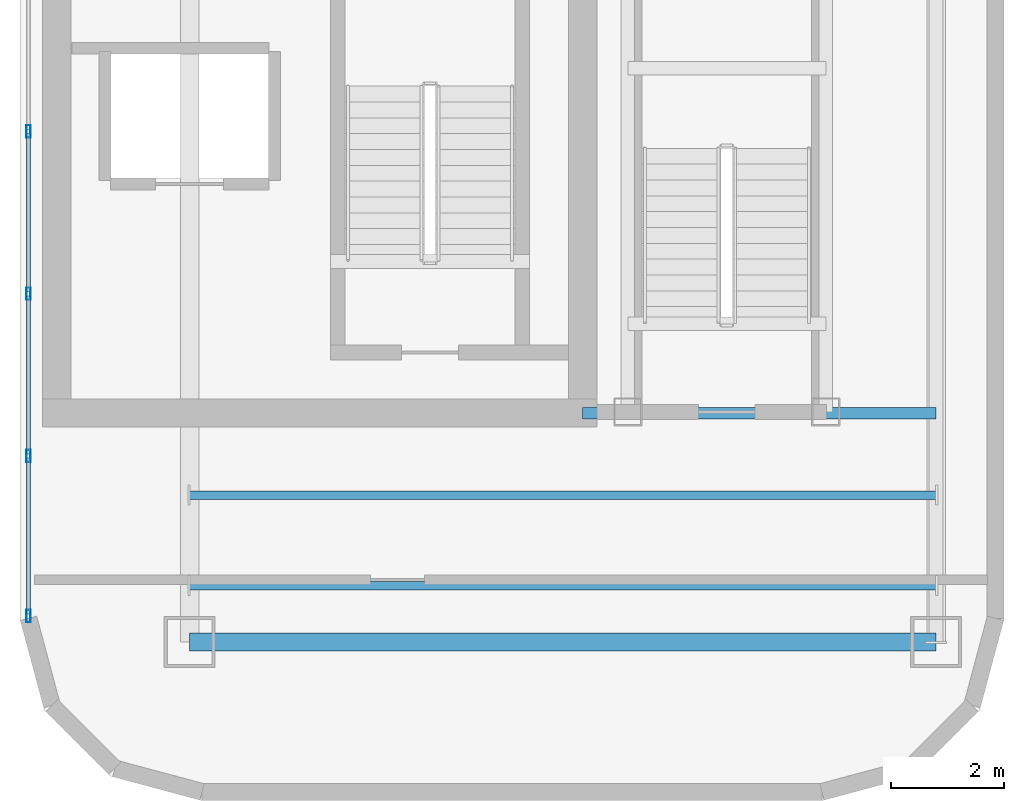
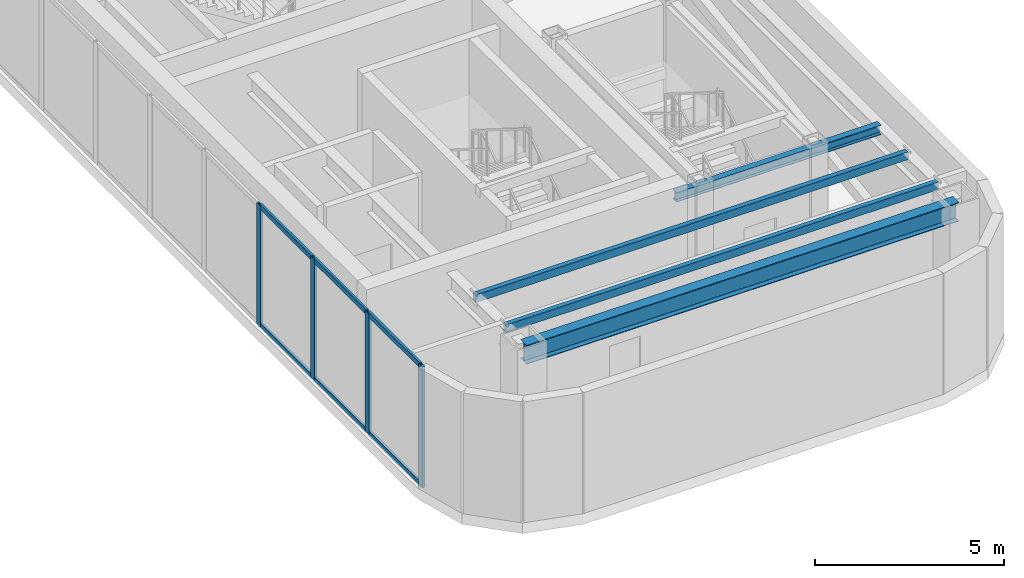
# One storey, part 2 of 9: 12 members, 2 beams, 1 element without a shape of its own.
"""IFC4 building model written with IfcOpenShell, lengths in metres."""

from ifc_helpers import new_model, si_unit, direction, frame, origin, origin_2d, place, context, subcontext, project, spatial, hollow_rectangle, i_section, extrude, material, layer, layer_set, material_profile, profile_set, type_object, element, aggregate, save


model = new_model("IFC4")

# Units and contexts
model_context = context("Model", 3, precision=1e-05, world=origin(), true_north=direction((0.0, 1.0)))
body_context = subcontext(model_context, "Body", "Model", "MODEL_VIEW")
ifc_project = project(units=[si_unit("LENGTHUNIT", "METRE"), si_unit("AREAUNIT", "SQUARE_METRE"), si_unit("VOLUMEUNIT", "CUBIC_METRE"), si_unit("PLANEANGLEUNIT", "RADIAN"), si_unit("MASSUNIT", "GRAM", prefix="KILO")], contexts=[model_context])

# Site, building, storey
site_placement = place(None, origin())
site = spatial("IfcSite", under=ifc_project, at=site_placement, CompositionType="ELEMENT")
building_placement = place(site_placement, origin())
building = spatial("IfcBuilding", under=site, at=building_placement, Name="Kiyonajd Concourse Tower", CompositionType="ELEMENT")
storey_placement = place(building_placement, frame((0.0, 0.0, 372.89990234375)))
storey = spatial("IfcBuildingStorey", under=building, at=storey_placement, Name="L93", CompositionType="ELEMENT", Elevation=372.89990234375)

# Beams
ifc_material_1 = material(Name="Steel ASTM A992 Grade 50", Category="steel")
ifc_material_profile_1 = material_profile(ifc_material_1, i_section(OverallWidth=0.2041015625, OverallDepth=0.305908203125, WebThickness=0.008544921875, FlangeThickness=0.0146484375, at=origin_2d()), Name="W310X67")
ifc_profile_set_1 = profile_set([ifc_material_profile_1], Name="Steel ASTM A992 Grade 50")
beam_type_1 = type_object("IfcBeamType", Name="BM-CRN-310", PredefinedType="BEAM", material=ifc_profile_set_1)
beam_1_placement = place(storey_placement, frame((63.35009765625, 27.85009765625, 3.7470703125), z_axis=(1.0, 0.0, 0.0), x_axis=(0.0, 1.0, 0.0)))
element("IfcBeam", 1, at=beam_1_placement, inside=storey, type_object=beam_type_1, Name="L93 E Crown Core Tie South", PredefinedType="BEAM", context=body_context, shape_type="SweptSolid", body=[
    extrude(i_section(OverallWidth=0.2041015625, OverallDepth=0.305908203125, WebThickness=0.008544921875, FlangeThickness=0.0146484375, at=origin_2d()), origin(), (0.0, 0.0, 1.0), 6.25),
])
ifc_material_profile_2 = material_profile(ifc_material_1, i_section(OverallWidth=0.323974609375, OverallDepth=0.611083984375, WebThickness=0.0126953125, FlangeThickness=0.01904296875, at=origin_2d()), Name="W610X155")
ifc_profile_set_2 = profile_set([ifc_material_profile_2], Name="Steel ASTM A992 Grade 50")
beam_type_2 = type_object("IfcBeamType", Name="BM-TWR-610B", PredefinedType="BEAM", material=ifc_profile_set_2)
beam_2_placement = place(storey_placement, frame((56.39990234375, 23.800048828125, 3.594482421875), z_axis=(1.0, 0.0, 0.0), x_axis=(0.0, 1.0, 0.0)))
element("IfcBeam", 2, at=beam_2_placement, inside=storey, type_object=beam_type_2, Name="L93 E Crown Ring Beam 1", PredefinedType="BEAM", context=body_context, shape_type="SweptSolid", body=[
    extrude(i_section(OverallWidth=0.323974609375, OverallDepth=0.611083984375, WebThickness=0.0126953125, FlangeThickness=0.01904296875, at=origin_2d()), origin(), (0.0, 0.0, 1.0), 13.2001953125),
])

# Members
ifc_material_2 = material(Name="Steel ASTM A500 Grade C", Category="steel")
ifc_material_profile_3 = material_profile(ifc_material_2, hollow_rectangle(XDim=0.14990234375, YDim=0.25, WallThickness=0.011962890625, at=origin_2d()), Name="HSS-250x150x12")
ifc_profile_set_3 = profile_set([ifc_material_profile_3], Name="Steel ASTM A500 Grade C")
member_type_1 = type_object("IfcMemberType", Name="MB-CRN-PURL", PredefinedType="PURLIN", material=ifc_profile_set_3)
for number, where, z_axis, x_axis, name in (
    (3, (56.39990234375, 24.800048828125, 3.775146484375), (1.0, 0.0, 0.0), (0.0, 1.0, 0.0), "L93 E Crown Roof Purlin 1"),
    (4, (56.39990234375, 26.39990234375, 3.775146484375), (1.0, 0.0, 0.0), (0.0, 1.0, 0.0), "L93 E Crown Roof Purlin 2"),
):
    element("IfcMember", number, at=place(storey_placement, frame(where, z_axis=z_axis, x_axis=x_axis)), inside=storey, type_object=member_type_1, Name=name, PredefinedType="PURLIN", context=body_context, shape_type="SweptSolid", body=[
        extrude(hollow_rectangle(XDim=0.14990234375, YDim=0.25, WallThickness=0.011962890625, at=origin_2d()), origin(), (0.0, 0.0, 1.0), 13.2001953125),
    ])

# Curtain wall, members
ifc_material_3 = material(Name="Thermally Broken Anodised Aluminium", Category="aluminium")
ifc_layer = layer(ifc_material_3, 0.179931640625)
ifc_layer_set = layer_set([ifc_layer], Name="Thermally Broken Anodised Aluminium")
curtain_wall_type = type_object("IfcCurtainWallType", Name="CW-SYS-06", PredefinedType="NOTDEFINED", material=ifc_layer_set)
curtain_wall_placement = place(storey_placement, origin())
curtain_wall = element("IfcCurtainWall", 5, at=curtain_wall_placement, inside=storey, type_object=curtain_wall_type, Name="L93 Unitised Curtain Wall CW6", PredefinedType="NOTDEFINED")
ifc_material_profile_4 = material_profile(ifc_material_3, hollow_rectangle(XDim=0.074951171875, YDim=0.219970703125, WallThickness=0.0048828125, at=origin_2d()), Name="MULL-75x220")
ifc_profile_set_4 = profile_set([ifc_material_profile_4], Name="Thermally Broken Anodised Aluminium")
member_type_2 = type_object("IfcMemberType", Name="MB-CW-MULL2", PredefinedType="MULLION", material=ifc_profile_set_4)
member_1_placement = place(storey_placement, frame((53.550048828125, 24.25732421875, 0.0), z_axis=(0.0, 0.0, 1.0), x_axis=(-1.0, 0.0, 0.0)))
member_1 = element("IfcMember", 6, at=member_1_placement, type_object=member_type_2, Name="CW6 mullion 1", PredefinedType="MULLION", context=body_context, shape_type="SweptSolid", body=[
    extrude(hollow_rectangle(XDim=0.074951171875, YDim=0.219970703125, WallThickness=0.0048828125, at=origin_2d()), origin(), (0.0, 0.0, 1.0), 3.900146484375),
])
member_2_placement = place(storey_placement, frame((53.550048828125, 27.08984375, 0.0), z_axis=(0.0, 0.0, 1.0), x_axis=(-1.0, 0.0, 0.0)))
member_2 = element("IfcMember", 7, at=member_2_placement, type_object=member_type_2, Name="CW6 mullion 2", PredefinedType="MULLION", context=body_context, shape_type="SweptSolid", body=[
    extrude(hollow_rectangle(XDim=0.074951171875, YDim=0.219970703125, WallThickness=0.0048828125, at=origin_2d()), origin(), (0.0, 0.0, 1.0), 3.900146484375),
])
member_3_placement = place(storey_placement, frame((53.550048828125, 29.9599609375, 0.0), z_axis=(0.0, 0.0, 1.0), x_axis=(-1.0, 0.0, 0.0)))
member_3 = element("IfcMember", 8, at=member_3_placement, type_object=member_type_2, Name="CW6 mullion 3", PredefinedType="MULLION", context=body_context, shape_type="SweptSolid", body=[
    extrude(hollow_rectangle(XDim=0.074951171875, YDim=0.219970703125, WallThickness=0.0048828125, at=origin_2d()), origin(), (0.0, 0.0, 1.0), 3.900146484375),
])
member_4_placement = place(storey_placement, frame((53.550048828125, 32.829833984375, 0.0), z_axis=(0.0, 0.0, 1.0), x_axis=(-1.0, 0.0, 0.0)))
member_4 = element("IfcMember", 9, at=member_4_placement, type_object=member_type_2, Name="CW6 mullion 4", PredefinedType="MULLION", context=body_context, shape_type="SweptSolid", body=[
    extrude(hollow_rectangle(XDim=0.074951171875, YDim=0.219970703125, WallThickness=0.0048828125, at=origin_2d()), origin(), (0.0, 0.0, 1.0), 3.900146484375),
])
ifc_material_profile_5 = material_profile(ifc_material_3, hollow_rectangle(XDim=0.074951171875, YDim=0.159912109375, WallThickness=0.0048828125, at=origin_2d()), Name="TRAN-75x160")
ifc_profile_set_5 = profile_set([ifc_material_profile_5], Name="Thermally Broken Anodised Aluminium")
member_type_3 = type_object("IfcMemberType", Name="MB-CW-TRAN2", PredefinedType="USERDEFINED", material=ifc_profile_set_5)
member_5_placement = place(storey_placement, frame((53.550048828125, 24.294921875, 0.03759765625), z_axis=(0.0, 1.0, 0.0), x_axis=(-1.0, 0.0, 0.0)))
member_5 = element("IfcMember", 10, at=member_5_placement, type_object=member_type_3, Name="CW6 transom 1.1", ObjectType="TRANSOM", PredefinedType="USERDEFINED", context=body_context, shape_type="SweptSolid", body=[
    extrude(hollow_rectangle(XDim=0.074951171875, YDim=0.159912109375, WallThickness=0.0048828125, at=origin_2d()), origin(), (0.0, 0.0, 1.0), 2.75732421875),
])
member_6_placement = place(storey_placement, frame((53.550048828125, 24.294921875, 3.862548828125), z_axis=(0.0, 1.0, 0.0), x_axis=(-1.0, 0.0, 0.0)))
member_6 = element("IfcMember", 11, at=member_6_placement, type_object=member_type_3, Name="CW6 transom 1.2", ObjectType="TRANSOM", PredefinedType="USERDEFINED", context=body_context, shape_type="SweptSolid", body=[
    extrude(hollow_rectangle(XDim=0.074951171875, YDim=0.159912109375, WallThickness=0.0048828125, at=origin_2d()), origin(), (0.0, 0.0, 1.0), 2.75732421875),
])
member_7_placement = place(storey_placement, frame((53.550048828125, 27.12744140625, 0.03759765625), z_axis=(0.0, 1.0, 0.0), x_axis=(-1.0, 0.0, 0.0)))
member_7 = element("IfcMember", 12, at=member_7_placement, type_object=member_type_3, Name="CW6 transom 2.1", ObjectType="TRANSOM", PredefinedType="USERDEFINED", context=body_context, shape_type="SweptSolid", body=[
    extrude(hollow_rectangle(XDim=0.074951171875, YDim=0.159912109375, WallThickness=0.0048828125, at=origin_2d()), origin(), (0.0, 0.0, 1.0), 2.794921875),
])
member_8_placement = place(storey_placement, frame((53.550048828125, 27.12744140625, 3.862548828125), z_axis=(0.0, 1.0, 0.0), x_axis=(-1.0, 0.0, 0.0)))
member_8 = element("IfcMember", 13, at=member_8_placement, type_object=member_type_3, Name="CW6 transom 2.2", ObjectType="TRANSOM", PredefinedType="USERDEFINED", context=body_context, shape_type="SweptSolid", body=[
    extrude(hollow_rectangle(XDim=0.074951171875, YDim=0.159912109375, WallThickness=0.0048828125, at=origin_2d()), origin(), (0.0, 0.0, 1.0), 2.794921875),
])
member_9_placement = place(storey_placement, frame((53.550048828125, 29.997314453125, 0.03759765625), z_axis=(0.0, 1.0, 0.0), x_axis=(-1.0, 0.0, 0.0)))
member_9 = element("IfcMember", 14, at=member_9_placement, type_object=member_type_3, Name="CW6 transom 3.1", ObjectType="TRANSOM", PredefinedType="USERDEFINED", context=body_context, shape_type="SweptSolid", body=[
    extrude(hollow_rectangle(XDim=0.074951171875, YDim=0.159912109375, WallThickness=0.0048828125, at=origin_2d()), origin(), (0.0, 0.0, 1.0), 2.795166015625),
])
member_10_placement = place(storey_placement, frame((53.550048828125, 29.997314453125, 3.862548828125), z_axis=(0.0, 1.0, 0.0), x_axis=(-1.0, 0.0, 0.0)))
member_10 = element("IfcMember", 15, at=member_10_placement, type_object=member_type_3, Name="CW6 transom 3.2", ObjectType="TRANSOM", PredefinedType="USERDEFINED", context=body_context, shape_type="SweptSolid", body=[
    extrude(hollow_rectangle(XDim=0.074951171875, YDim=0.159912109375, WallThickness=0.0048828125, at=origin_2d()), origin(), (0.0, 0.0, 1.0), 2.795166015625),
])
aggregate(curtain_wall, [member_1, member_2, member_3, member_4, member_5, member_6, member_7, member_8, member_9, member_10])

save(model, "model.ifc")
